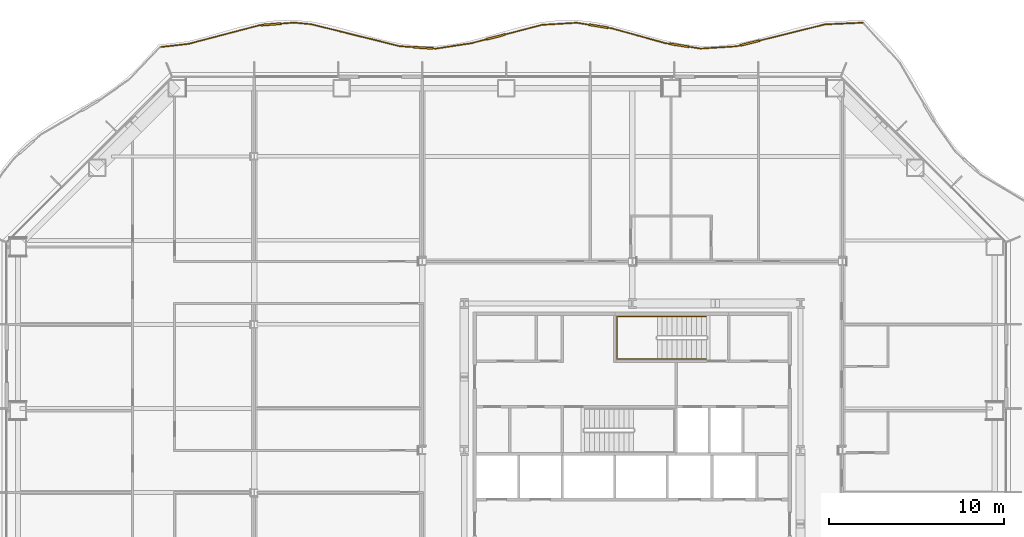
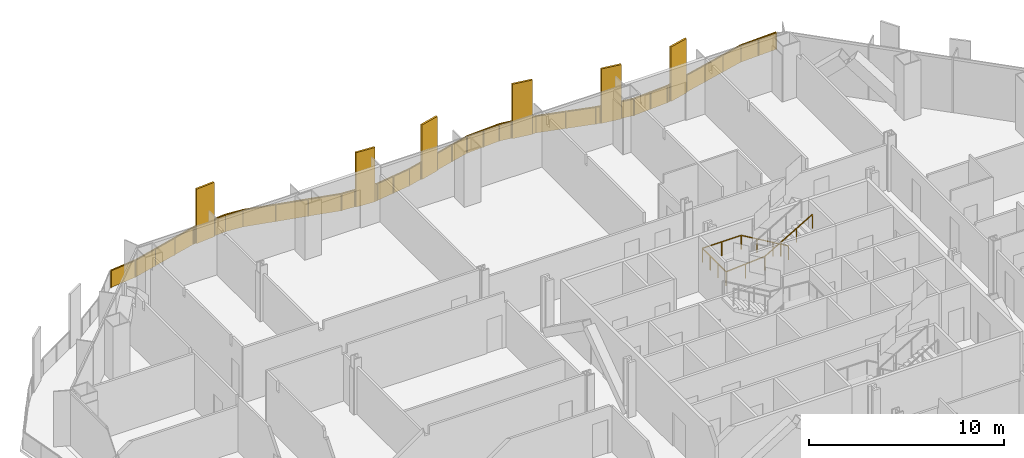
# One storey, part 20 of 21: 2 railings.
"""IFC4 building model written with IfcOpenShell, lengths in metres."""

from ifc_helpers import new_model, si_unit, direction, frame, origin, origin_2d, place, context, subcontext, project, spatial, polyline, rectangle, outline, extrude, material, type_object, element, save


model = new_model("IFC4")

# Units and contexts
model_context = context("Model", 3, precision=1e-05, world=origin(), true_north=direction((0.0, 1.0)))
body_context = subcontext(model_context, "Body", "Model", "MODEL_VIEW")
ifc_project = project(units=[si_unit("LENGTHUNIT", "METRE"), si_unit("AREAUNIT", "SQUARE_METRE"), si_unit("VOLUMEUNIT", "CUBIC_METRE"), si_unit("PLANEANGLEUNIT", "RADIAN"), si_unit("MASSUNIT", "GRAM", prefix="KILO")], contexts=[model_context])

# Site, building, storey
site_placement = place(None, origin())
site = spatial("IfcSite", under=ifc_project, at=site_placement, CompositionType="ELEMENT")
building_placement = place(site_placement, origin())
building = spatial("IfcBuilding", under=site, at=building_placement, Name="Cairn Pilgrim Tower", CompositionType="ELEMENT")
storey_placement = place(building_placement, frame((0.0, 0.0, 54.60009765625)))
storey = spatial("IfcBuildingStorey", under=building, at=storey_placement, Name="L11", CompositionType="ELEMENT", Elevation=54.60009765625)

# Railings
ifc_material_1 = material(Name="Bronze anodised aluminium rail, posts and fin screens with laminated glass infill", Category="aluminium")
railing_type_1 = type_object("IfcRailingType", Name="BALCONY GUARD WITH FIN SCREENS", PredefinedType="GUARDRAIL", material=ifc_material_1)
railing_1_placement = place(storey_placement, frame((20.37646484375, 26.83984375, 0.0)))
element("IfcRailing", 1, at=railing_1_placement, inside=storey, type_object=railing_type_1, Name="Balcony guard BGF-5 with fin screens", PredefinedType="GUARDRAIL", context=body_context, shape_type="SweptSolid", body=[
    extrude(rectangle(XDim=0.050048828125, YDim=0.050048828125, at=origin_2d()), frame((0.0, 0.0, 1.0751953125), z_axis=(-0.999059343406, -0.043363906112, 0.0), x_axis=(0.043363906112, -0.999059343406, 0.0)), (0.0, 0.0, 1.0), 2.16748046875),
    extrude(rectangle(XDim=1.10009765625, YDim=0.110107421875, at=origin_2d()), frame((-6.455810546875, -1.1591796875, 0.0), z_axis=(0.0, 0.0, 1.0), x_axis=(-0.970530332605, -0.240978989733, 0.0)), (0.0, 0.0, 1.0), 3.39990234375),
    extrude(rectangle(XDim=0.050048828125, YDim=0.050048828125, at=origin_2d()), frame((-2.16552734375, -0.093994140625, 1.0751953125), z_axis=(-0.970530332605, -0.240978989733, 0.0), x_axis=(0.240978989733, -0.970530332605, 0.0)), (0.0, 0.0, 1.0), 3.87060546875),
    extrude(rectangle(XDim=0.050048828125, YDim=0.050048828125, at=origin_2d()), frame((-6.989501953125, -1.291748046875, 1.0751953125), z_axis=(-0.970530332605, -0.240978989733, 0.0), x_axis=(0.240978989733, -0.970530332605, 0.0)), (0.0, 0.0, 1.0), 0.23388671875),
    extrude(rectangle(XDim=0.050048828125, YDim=0.050048828125, at=origin_2d()), frame((-7.216552734375, -1.34814453125, 1.0751953125), z_axis=(-0.997955239955, -0.063916657035, 0.0), x_axis=(0.063916657035, -0.997955239955, 0.0)), (0.0, 0.0, 1.0), 2.054931640625),
    extrude(rectangle(XDim=1.10009765625, YDim=0.110107421875, at=origin_2d()), frame((-10.498291015625, -1.289306640625, 0.0), z_axis=(0.0, 0.0, 1.0), x_axis=(-0.988287014191, 0.152606610544, 0.0)), (0.0, 0.0, 1.0), 3.39990234375),
    extrude(rectangle(XDim=0.050048828125, YDim=0.050048828125, at=origin_2d()), frame((-9.267333984375, -1.4794921875, 1.0751953125), z_axis=(-0.988287014191, 0.152606610544, 0.0), x_axis=(-0.152606610544, -0.988287014191, 0.0)), (0.0, 0.0, 1.0), 0.695556640625),
    extrude(rectangle(XDim=0.050048828125, YDim=0.050048828125, at=origin_2d()), frame((-11.0419921875, -1.20556640625, 1.0751953125), z_axis=(-0.988287014191, 0.152606610544, 0.0), x_axis=(-0.152606610544, -0.988287014191, 0.0)), (0.0, 0.0, 1.0), 0.2744140625),
    extrude(rectangle(XDim=0.050048828125, YDim=0.050048828125, at=origin_2d()), frame((-11.313232421875, -1.16357421875, 1.0751953125), z_axis=(-0.963612338145, 0.267303688293, 0.0), x_axis=(-0.267303688293, -0.963612338145, 0.0)), (0.0, 0.0, 1.0), 3.146484375),
    extrude(rectangle(XDim=1.10009765625, YDim=0.110107421875, at=origin_2d()), frame((-15.115966796875, -0.19970703125, 0.0), z_axis=(0.0, 0.0, 1.0), x_axis=(-0.987543657243, 0.157345241549, 0.0)), (0.0, 0.0, 1.0), 3.39990234375),
    extrude(rectangle(XDim=0.050048828125, YDim=0.050048828125, at=origin_2d()), frame((-14.34521484375, -0.322509765625, 1.0751953125), z_axis=(-0.987543657243, 0.157345241549, 0.0), x_axis=(-0.157345241549, -0.987543657243, 0.0)), (0.0, 0.0, 1.0), 0.23046875),
    extrude(rectangle(XDim=0.050048828125, YDim=0.050048828125, at=origin_2d()), frame((-15.6591796875, -0.11328125, 1.0751953125), z_axis=(-0.987543657243, 0.157345241549, 0.0), x_axis=(-0.157345241549, -0.987543657243, 0.0)), (0.0, 0.0, 1.0), 0.69140625),
    extrude(rectangle(XDim=0.050048828125, YDim=0.050048828125, at=origin_2d()), frame((-16.341796875, -0.00439453125, 1.0751953125), z_axis=(-0.998306735794, -0.05816924675, 0.0), x_axis=(0.05816924675, -0.998306735794, 0.0)), (0.0, 0.0, 1.0), 1.99365234375),
    extrude(rectangle(XDim=1.10009765625, YDim=0.110107421875, at=origin_2d()), frame((-20.970947265625, -0.807861328125, 0.0), z_axis=(0.0, 0.0, 1.0), x_axis=(-0.967698051512, -0.252112040768, 0.0)), (0.0, 0.0, 1.0), 3.39990234375),
    extrude(rectangle(XDim=0.050048828125, YDim=0.050048828125, at=origin_2d()), frame((-18.33203125, -0.120361328125, 1.0751953125), z_axis=(-0.967698051512, -0.252112040768, 0.0), x_axis=(0.252112040768, -0.967698051512, 0.0)), (0.0, 0.0, 1.0), 2.177001953125),
    extrude(rectangle(XDim=0.050048828125, YDim=0.050048828125, at=origin_2d()), frame((-21.503173828125, -0.946533203125, 1.0751953125), z_axis=(-0.967698051512, -0.252112040768, 0.0), x_axis=(0.252112040768, -0.967698051512, 0.0)), (0.0, 0.0, 1.0), 0.892822265625),
    extrude(rectangle(XDim=0.050048828125, YDim=0.050048828125, at=origin_2d()), frame((-22.3671875, -1.171630859375, 1.0751953125), z_axis=(-0.988737213893, -0.149662025453, 0.0), x_axis=(0.149662025453, -0.988737213893, 0.0)), (0.0, 0.0, 1.0), 2.068359375),
    extrude(rectangle(XDim=1.10009765625, YDim=0.110107421875, at=origin_2d()), frame((-25.110595703125, -1.43408203125, 0.0), z_axis=(0.0, 0.0, 1.0), x_axis=(-0.997721101582, 0.067472983176, 0.0)), (0.0, 0.0, 1.0), 3.39990234375),
    extrude(rectangle(XDim=0.050048828125, YDim=0.050048828125, at=origin_2d()), frame((-24.412353515625, -1.481201171875, 1.0751953125), z_axis=(-0.997721101582, 0.067472983176, 0.0), x_axis=(-0.067472983176, -0.997721101582, 0.0)), (0.0, 0.0, 1.0), 0.14990234375),
    extrude(rectangle(XDim=0.050048828125, YDim=0.050048828125, at=origin_2d()), frame((-25.659423828125, -1.39697265625, 1.0751953125), z_axis=(-0.997721101582, 0.067472983176, 0.0), x_axis=(-0.067472983176, -0.997721101582, 0.0)), (0.0, 0.0, 1.0), 0.80517578125),
    extrude(rectangle(XDim=0.050048828125, YDim=0.050048828125, at=origin_2d()), frame((-26.462890625, -1.342529296875, 1.0751953125), z_axis=(-0.970568434005, 0.240825486426, 0.0), x_axis=(-0.240825486426, -0.970568434005, 0.0)), (0.0, 0.0, 1.0), 5.207763671875),
    extrude(rectangle(XDim=0.050048828125, YDim=0.050048828125, at=origin_2d()), frame((-31.517333984375, -0.08837890625, 1.0751953125), z_axis=(-0.995676342666, 0.092890369014, 0.0), x_axis=(-0.092890369014, -0.995676342666, 0.0)), (0.0, 0.0, 1.0), 0.990966796875),
    extrude(rectangle(XDim=1.10009765625, YDim=0.110107421875, at=origin_2d()), frame((-33.801025390625, -0.095947265625, 0.0), z_axis=(0.0, 0.0, 1.0), x_axis=(-0.997068823954, -0.076509870593, 0.0)), (0.0, 0.0, 1.0), 3.39990234375),
    extrude(rectangle(XDim=0.050048828125, YDim=0.050048828125, at=origin_2d()), frame((-32.50390625, 0.003662109375, 1.0751953125), z_axis=(-0.997068823954, -0.076509870593, 0.0), x_axis=(0.076509870593, -0.997068823954, 0.0)), (0.0, 0.0, 1.0), 0.750732421875),
    extrude(rectangle(XDim=0.050048828125, YDim=0.050048828125, at=origin_2d()), frame((-34.349365234375, -0.137939453125, 1.0751953125), z_axis=(-0.997068823954, -0.076509870593, 0.0), x_axis=(0.076509870593, -0.997068823954, 0.0)), (0.0, 0.0, 1.0), 0.14990234375),
    extrude(rectangle(XDim=0.050048828125, YDim=0.050048828125, at=origin_2d()), frame((-34.498779296875, -0.1494140625, 1.0751953125), z_axis=(-0.967120706258, -0.254317792393, 0.0), x_axis=(0.254317792393, -0.967120706258, 0.0)), (0.0, 0.0, 1.0), 4.177001953125),
    extrude(rectangle(XDim=0.050048828125, YDim=0.050048828125, at=origin_2d()), frame((-38.538330078125, -1.211669921875, 1.0751953125), z_axis=(-0.993720120038, -0.111894249324, 0.0), x_axis=(0.111894249324, -0.993720120038, 0.0)), (0.0, 0.0, 1.0), 1.575439453125),
    extrude(rectangle(XDim=0.050048828125, YDim=0.050048828125, at=origin_2d()), origin(), (0.0, 0.0, 1.0), 1.050048828125),
    extrude(rectangle(XDim=0.050048828125, YDim=0.050048828125, at=origin_2d()), frame((-1.082763671875, -0.046875, 0.0)), (0.0, 0.0, 1.0), 1.050048828125),
    extrude(rectangle(XDim=0.050048828125, YDim=0.050048828125, at=origin_2d()), frame((-2.16552734375, -0.093994140625, 0.0)), (0.0, 0.0, 1.0), 1.050048828125),
    extrude(rectangle(XDim=0.050048828125, YDim=0.050048828125, at=origin_2d()), frame((-3.40966796875, -0.40283203125, 0.0)), (0.0, 0.0, 1.0), 1.050048828125),
    extrude(rectangle(XDim=0.050048828125, YDim=0.050048828125, at=origin_2d()), frame((-4.653564453125, -0.711669921875, 0.0)), (0.0, 0.0, 1.0), 1.050048828125),
    extrude(rectangle(XDim=0.050048828125, YDim=0.050048828125, at=origin_2d()), frame((-5.897705078125, -1.020751953125, 0.0)), (0.0, 0.0, 1.0), 1.050048828125),
    extrude(rectangle(XDim=0.050048828125, YDim=0.050048828125, at=origin_2d()), frame((-7.013916015625, -1.2978515625, 0.0)), (0.0, 0.0, 1.0), 1.050048828125),
    extrude(rectangle(XDim=0.050048828125, YDim=0.050048828125, at=origin_2d()), frame((-7.216552734375, -1.34814453125, 0.0)), (0.0, 0.0, 1.0), 1.050048828125),
    extrude(rectangle(XDim=0.050048828125, YDim=0.050048828125, at=origin_2d()), frame((-8.241943359375, -1.413818359375, 0.0)), (0.0, 0.0, 1.0), 1.050048828125),
    extrude(rectangle(XDim=0.050048828125, YDim=0.050048828125, at=origin_2d()), frame((-9.267333984375, -1.4794921875, 0.0)), (0.0, 0.0, 1.0), 1.050048828125),
    extrude(rectangle(XDim=0.050048828125, YDim=0.050048828125, at=origin_2d()), frame((-9.93017578125, -1.377197265625, 0.0)), (0.0, 0.0, 1.0), 1.050048828125),
    extrude(rectangle(XDim=0.050048828125, YDim=0.050048828125, at=origin_2d()), frame((-11.066650390625, -1.20166015625, 0.0)), (0.0, 0.0, 1.0), 1.050048828125),
    extrude(rectangle(XDim=0.050048828125, YDim=0.050048828125, at=origin_2d()), frame((-11.313232421875, -1.16357421875, 0.0)), (0.0, 0.0, 1.0), 1.050048828125),
    extrude(rectangle(XDim=0.050048828125, YDim=0.050048828125, at=origin_2d()), frame((-12.8291015625, -0.7431640625, 0.0)), (0.0, 0.0, 1.0), 1.050048828125),
    extrude(rectangle(XDim=0.050048828125, YDim=0.050048828125, at=origin_2d()), frame((-14.34521484375, -0.322509765625, 0.0)), (0.0, 0.0, 1.0), 1.050048828125),
    extrude(rectangle(XDim=0.050048828125, YDim=0.050048828125, at=origin_2d()), frame((-14.548095703125, -0.290283203125, 0.0)), (0.0, 0.0, 1.0), 1.050048828125),
    extrude(rectangle(XDim=0.050048828125, YDim=0.050048828125, at=origin_2d()), frame((-15.683837890625, -0.109130859375, 0.0)), (0.0, 0.0, 1.0), 1.050048828125),
    extrude(rectangle(XDim=0.050048828125, YDim=0.050048828125, at=origin_2d()), frame((-16.341796875, -0.00439453125, 0.0)), (0.0, 0.0, 1.0), 1.050048828125),
    extrude(rectangle(XDim=0.050048828125, YDim=0.050048828125, at=origin_2d()), frame((-17.3369140625, -0.0625, 0.0)), (0.0, 0.0, 1.0), 1.050048828125),
    extrude(rectangle(XDim=0.050048828125, YDim=0.050048828125, at=origin_2d()), frame((-18.33203125, -0.120361328125, 0.0)), (0.0, 0.0, 1.0), 1.050048828125),
    extrude(rectangle(XDim=0.050048828125, YDim=0.050048828125, at=origin_2d()), frame((-19.373291015625, -0.3916015625, 0.0)), (0.0, 0.0, 1.0), 1.050048828125),
    extrude(rectangle(XDim=0.050048828125, YDim=0.050048828125, at=origin_2d()), frame((-20.41455078125, -0.662841796875, 0.0)), (0.0, 0.0, 1.0), 1.050048828125),
    extrude(rectangle(XDim=0.050048828125, YDim=0.050048828125, at=origin_2d()), frame((-21.52734375, -0.952880859375, 0.0)), (0.0, 0.0, 1.0), 1.050048828125),
    extrude(rectangle(XDim=0.050048828125, YDim=0.050048828125, at=origin_2d()), frame((-22.3671875, -1.171630859375, 0.0)), (0.0, 0.0, 1.0), 1.050048828125),
    extrude(rectangle(XDim=0.050048828125, YDim=0.050048828125, at=origin_2d()), frame((-23.3896484375, -1.326416015625, 0.0)), (0.0, 0.0, 1.0), 1.050048828125),
    extrude(rectangle(XDim=0.050048828125, YDim=0.050048828125, at=origin_2d()), frame((-24.412353515625, -1.481201171875, 0.0)), (0.0, 0.0, 1.0), 1.050048828125),
    extrude(rectangle(XDim=0.050048828125, YDim=0.050048828125, at=origin_2d()), frame((-24.536865234375, -1.47265625, 0.0)), (0.0, 0.0, 1.0), 1.050048828125),
    extrude(rectangle(XDim=0.050048828125, YDim=0.050048828125, at=origin_2d()), frame((-25.684326171875, -1.395263671875, 0.0)), (0.0, 0.0, 1.0), 1.050048828125),
    extrude(rectangle(XDim=0.050048828125, YDim=0.050048828125, at=origin_2d()), frame((-26.462890625, -1.342529296875, 0.0)), (0.0, 0.0, 1.0), 1.050048828125),
    extrude(rectangle(XDim=0.050048828125, YDim=0.050048828125, at=origin_2d()), frame((-28.147705078125, -0.924560546875, 0.0)), (0.0, 0.0, 1.0), 1.050048828125),
    extrude(rectangle(XDim=0.050048828125, YDim=0.050048828125, at=origin_2d()), frame((-29.83251953125, -0.50634765625, 0.0)), (0.0, 0.0, 1.0), 1.050048828125),
    extrude(rectangle(XDim=0.050048828125, YDim=0.050048828125, at=origin_2d()), frame((-31.517333984375, -0.08837890625, 0.0)), (0.0, 0.0, 1.0), 1.050048828125),
    extrude(rectangle(XDim=0.050048828125, YDim=0.050048828125, at=origin_2d()), frame((-32.50390625, 0.003662109375, 0.0)), (0.0, 0.0, 1.0), 1.050048828125),
    extrude(rectangle(XDim=0.050048828125, YDim=0.050048828125, at=origin_2d()), frame((-33.2275390625, -0.0517578125, 0.0)), (0.0, 0.0, 1.0), 1.050048828125),
    extrude(rectangle(XDim=0.050048828125, YDim=0.050048828125, at=origin_2d()), frame((-34.374267578125, -0.139892578125, 0.0)), (0.0, 0.0, 1.0), 1.050048828125),
    extrude(rectangle(XDim=0.050048828125, YDim=0.050048828125, at=origin_2d()), frame((-34.498779296875, -0.1494140625, 0.0)), (0.0, 0.0, 1.0), 1.050048828125),
    extrude(rectangle(XDim=0.050048828125, YDim=0.050048828125, at=origin_2d()), frame((-35.84521484375, -0.50341796875, 0.0)), (0.0, 0.0, 1.0), 1.050048828125),
    extrude(rectangle(XDim=0.050048828125, YDim=0.050048828125, at=origin_2d()), frame((-37.19189453125, -0.857666015625, 0.0)), (0.0, 0.0, 1.0), 1.050048828125),
    extrude(rectangle(XDim=0.050048828125, YDim=0.050048828125, at=origin_2d()), frame((-38.538330078125, -1.211669921875, 0.0)), (0.0, 0.0, 1.0), 1.050048828125),
    extrude(rectangle(XDim=0.050048828125, YDim=0.050048828125, at=origin_2d()), frame((-40.103759765625, -1.387939453125, 0.0)), (0.0, 0.0, 1.0), 1.050048828125),
    extrude(outline(polyline([(0.02490234375, 0.0), (1.058837890625, 0.0), (1.058837890625, 1.050048828125), (0.02490234375, 1.050048828125), (0.02490234375, 0.0)])), frame((0.000244140625, -0.005859375, 0.0), z_axis=(-0.043363906112, 0.999059343406, 0.0), x_axis=(-0.999059343406, -0.043363906112, 0.0)), (0.0, 0.0, 1.0), 0.011962890625),
    extrude(outline(polyline([(0.02490234375, 0.0), (1.058837890625, 0.0), (1.058837890625, 1.050048828125), (0.02490234375, 1.050048828125), (0.02490234375, 0.0)])), frame((-1.08251953125, -0.052978515625, 0.0), z_axis=(-0.043363906112, 0.999059343406, 0.0), x_axis=(-0.999059343406, -0.043363906112, 0.0)), (0.0, 0.0, 1.0), 0.011962890625),
    extrude(outline(polyline([(0.02490234375, 0.0), (1.2568359375, 0.0), (1.2568359375, 1.050048828125), (0.02490234375, 1.050048828125), (0.02490234375, 0.0)])), frame((-2.1640625, -0.099853515625, 0.0), z_axis=(-0.240978989733, 0.970530332605, 0.0), x_axis=(-0.970530332605, -0.240978989733, 0.0)), (0.0, 0.0, 1.0), 0.011962890625),
    extrude(outline(polyline([(0.02490234375, 0.0), (1.2568359375, 0.0), (1.2568359375, 1.050048828125), (0.02490234375, 1.050048828125), (0.02490234375, 0.0)])), frame((-3.408203125, -0.40869140625, 0.0), z_axis=(-0.240978989733, 0.970530332605, 0.0), x_axis=(-0.970530332605, -0.240978989733, 0.0)), (0.0, 0.0, 1.0), 0.011962890625),
    extrude(outline(polyline([(0.02490234375, 0.0), (1.2568359375, 0.0), (1.2568359375, 1.050048828125), (0.02490234375, 1.050048828125), (0.02490234375, 0.0)])), frame((-4.652099609375, -0.717529296875, 0.0), z_axis=(-0.240978989733, 0.970530332605, 0.0), x_axis=(-0.970530332605, -0.240978989733, 0.0)), (0.0, 0.0, 1.0), 0.011962890625),
    extrude(outline(polyline([(0.02490234375, 0.0), (0.183837890625, 0.0), (0.183837890625, 1.050048828125), (0.02490234375, 1.050048828125), (0.02490234375, 0.0)])), frame((-7.012451171875, -1.3037109375, 0.0), z_axis=(-0.240978989733, 0.970530332605, 0.0), x_axis=(-0.970530332605, -0.240978989733, 0.0)), (0.0, 0.0, 1.0), 0.011962890625),
    extrude(outline(polyline([(0.02490234375, 0.0), (1.00244140625, 0.0), (1.00244140625, 1.050048828125), (0.02490234375, 1.050048828125), (0.02490234375, 0.0)])), frame((-7.216064453125, -1.35400390625, 0.0), z_axis=(-0.063916657035, 0.997955239955, 0.0), x_axis=(-0.997955239955, -0.063916657035, 0.0)), (0.0, 0.0, 1.0), 0.011962890625),
    extrude(outline(polyline([(0.02490234375, 0.0), (1.00244140625, 0.0), (1.00244140625, 1.050048828125), (0.02490234375, 1.050048828125), (0.02490234375, 0.0)])), frame((-8.241455078125, -1.419677734375, 0.0), z_axis=(-0.063916657035, 0.997955239955, 0.0), x_axis=(-0.997955239955, -0.063916657035, 0.0)), (0.0, 0.0, 1.0), 0.011962890625),
    extrude(outline(polyline([(0.02490234375, 0.0), (0.6455078125, 0.0), (0.6455078125, 1.050048828125), (0.02490234375, 1.050048828125), (0.02490234375, 0.0)])), frame((-9.268310546875, -1.4853515625, 0.0), z_axis=(0.152606610544, 0.988287014191, 0.0), x_axis=(-0.988287014191, 0.152606610544, 0.0)), (0.0, 0.0, 1.0), 0.011962890625),
    extrude(outline(polyline([(0.02490234375, 0.0), (0.224365234375, 0.0), (0.224365234375, 1.050048828125), (0.02490234375, 1.050048828125), (0.02490234375, 0.0)])), frame((-11.067626953125, -1.20751953125, 0.0), z_axis=(0.152606610544, 0.988287014191, 0.0), x_axis=(-0.988287014191, 0.152606610544, 0.0)), (0.0, 0.0, 1.0), 0.011962890625),
    extrude(outline(polyline([(0.02490234375, 0.0), (1.548095703125, 0.0), (1.548095703125, 1.050048828125), (0.02490234375, 1.050048828125), (0.02490234375, 0.0)])), frame((-11.31494140625, -1.16943359375, 0.0), z_axis=(0.267303688293, 0.963612338145, 0.0), x_axis=(-0.963612338145, 0.267303688293, 0.0)), (0.0, 0.0, 1.0), 0.011962890625),
    extrude(outline(polyline([(0.02490234375, 0.0), (1.548095703125, 0.0), (1.548095703125, 1.050048828125), (0.02490234375, 1.050048828125), (0.02490234375, 0.0)])), frame((-12.830810546875, -0.748779296875, 0.0), z_axis=(0.267303688293, 0.963612338145, 0.0), x_axis=(-0.963612338145, 0.267303688293, 0.0)), (0.0, 0.0, 1.0), 0.011962890625),
    extrude(outline(polyline([(0.02490234375, 0.0), (0.180419921875, 0.0), (0.180419921875, 1.050048828125), (0.02490234375, 1.050048828125), (0.02490234375, 0.0)])), frame((-14.34619140625, -0.328369140625, 0.0), z_axis=(0.157345241549, 0.987543657243, 0.0), x_axis=(-0.987543657243, 0.157345241549, 0.0)), (0.0, 0.0, 1.0), 0.011962890625),
    extrude(outline(polyline([(0.02490234375, 0.0), (0.641357421875, 0.0), (0.641357421875, 1.050048828125), (0.02490234375, 1.050048828125), (0.02490234375, 0.0)])), frame((-15.684814453125, -0.115234375, 0.0), z_axis=(0.157345241549, 0.987543657243, 0.0), x_axis=(-0.987543657243, 0.157345241549, 0.0)), (0.0, 0.0, 1.0), 0.011962890625),
    extrude(outline(polyline([(0.02490234375, 0.0), (0.9716796875, 0.0), (0.9716796875, 1.050048828125), (0.02490234375, 1.050048828125), (0.02490234375, 0.0)])), frame((-16.341552734375, -0.01025390625, 0.0), z_axis=(-0.05816924675, 0.998306735794, 0.0), x_axis=(-0.998306735794, -0.05816924675, 0.0)), (0.0, 0.0, 1.0), 0.011962890625),
    extrude(outline(polyline([(0.02490234375, 0.0), (0.9716796875, 0.0), (0.9716796875, 1.050048828125), (0.02490234375, 1.050048828125), (0.02490234375, 0.0)])), frame((-17.336669921875, -0.068359375, 0.0), z_axis=(-0.05816924675, 0.998306735794, 0.0), x_axis=(-0.998306735794, -0.05816924675, 0.0)), (0.0, 0.0, 1.0), 0.011962890625),
    extrude(outline(polyline([(0.02490234375, 0.0), (1.051025390625, 0.0), (1.051025390625, 1.050048828125), (0.02490234375, 1.050048828125), (0.02490234375, 0.0)])), frame((-18.33056640625, -0.126220703125, 0.0), z_axis=(-0.252112040768, 0.967698051512, 0.0), x_axis=(-0.967698051512, -0.252112040768, 0.0)), (0.0, 0.0, 1.0), 0.011962890625),
    extrude(outline(polyline([(0.02490234375, 0.0), (1.051025390625, 0.0), (1.051025390625, 1.050048828125), (0.02490234375, 1.050048828125), (0.02490234375, 0.0)])), frame((-19.371826171875, -0.3974609375, 0.0), z_axis=(-0.252112040768, 0.967698051512, 0.0), x_axis=(-0.967698051512, -0.252112040768, 0.0)), (0.0, 0.0, 1.0), 0.011962890625),
    extrude(outline(polyline([(0.02490234375, 0.0), (0.8427734375, 0.0), (0.8427734375, 1.050048828125), (0.02490234375, 1.050048828125), (0.02490234375, 0.0)])), frame((-21.52587890625, -0.958740234375, 0.0), z_axis=(-0.252112040768, 0.967698051512, 0.0), x_axis=(-0.967698051512, -0.252112040768, 0.0)), (0.0, 0.0, 1.0), 0.011962890625),
    extrude(outline(polyline([(0.02490234375, 0.0), (1.00927734375, 0.0), (1.00927734375, 1.050048828125), (0.02490234375, 1.050048828125), (0.02490234375, 0.0)])), frame((-22.3662109375, -1.177490234375, 0.0), z_axis=(-0.149662025453, 0.988737213893, 0.0), x_axis=(-0.988737213893, -0.149662025453, 0.0)), (0.0, 0.0, 1.0), 0.011962890625),
    extrude(outline(polyline([(0.02490234375, 0.0), (1.00927734375, 0.0), (1.00927734375, 1.050048828125), (0.02490234375, 1.050048828125), (0.02490234375, 0.0)])), frame((-23.388916015625, -1.332275390625, 0.0), z_axis=(-0.149662025453, 0.988737213893, 0.0), x_axis=(-0.988737213893, -0.149662025453, 0.0)), (0.0, 0.0, 1.0), 0.011962890625),
    extrude(outline(polyline([(0.02490234375, 0.0), (0.099853515625, 0.0), (0.099853515625, 1.050048828125), (0.02490234375, 1.050048828125), (0.02490234375, 0.0)])), frame((-24.412841796875, -1.487060546875, 0.0), z_axis=(0.067472983176, 0.997721101582, 0.0), x_axis=(-0.997721101582, 0.067472983176, 0.0)), (0.0, 0.0, 1.0), 0.011962890625),
    extrude(outline(polyline([(0.02490234375, 0.0), (0.755126953125, 0.0), (0.755126953125, 1.050048828125), (0.02490234375, 1.050048828125), (0.02490234375, 0.0)])), frame((-25.684814453125, -1.401123046875, 0.0), z_axis=(0.067472983176, 0.997721101582, 0.0), x_axis=(-0.997721101582, 0.067472983176, 0.0)), (0.0, 0.0, 1.0), 0.011962890625),
    extrude(outline(polyline([(0.02490234375, 0.0), (1.7109375, 0.0), (1.7109375, 1.050048828125), (0.02490234375, 1.050048828125), (0.02490234375, 0.0)])), frame((-26.46435546875, -1.348388671875, 0.0), z_axis=(0.240825486426, 0.970568434005, 0.0), x_axis=(-0.970568434005, 0.240825486426, 0.0)), (0.0, 0.0, 1.0), 0.011962890625),
    extrude(outline(polyline([(0.02490234375, 0.0), (1.7109375, 0.0), (1.7109375, 1.050048828125), (0.02490234375, 1.050048828125), (0.02490234375, 0.0)])), frame((-28.149169921875, -0.93017578125, 0.0), z_axis=(0.240825486426, 0.970568434005, 0.0), x_axis=(-0.970568434005, 0.240825486426, 0.0)), (0.0, 0.0, 1.0), 0.011962890625),
    extrude(outline(polyline([(0.02490234375, 0.0), (1.7109375, 0.0), (1.7109375, 1.050048828125), (0.02490234375, 1.050048828125), (0.02490234375, 0.0)])), frame((-29.833984375, -0.51220703125, 0.0), z_axis=(0.240825486426, 0.970568434005, 0.0), x_axis=(-0.970568434005, 0.240825486426, 0.0)), (0.0, 0.0, 1.0), 0.011962890625),
    extrude(outline(polyline([(0.02490234375, 0.0), (0.9658203125, 0.0), (0.9658203125, 1.050048828125), (0.02490234375, 1.050048828125), (0.02490234375, 0.0)])), frame((-31.517822265625, -0.09423828125, 0.0), z_axis=(0.092890369014, 0.995676342666, 0.0), x_axis=(-0.995676342666, 0.092890369014, 0.0)), (0.0, 0.0, 1.0), 0.011962890625),
    extrude(outline(polyline([(0.02490234375, 0.0), (0.70068359375, 0.0), (0.70068359375, 1.050048828125), (0.02490234375, 1.050048828125), (0.02490234375, 0.0)])), frame((-32.50341796875, -0.002197265625, 0.0), z_axis=(-0.076509870593, 0.997068823954, 0.0), x_axis=(-0.997068823954, -0.076509870593, 0.0)), (0.0, 0.0, 1.0), 0.011962890625),
    extrude(outline(polyline([(0.02490234375, 0.0), (0.099853515625, 0.0), (0.099853515625, 1.050048828125), (0.02490234375, 1.050048828125), (0.02490234375, 0.0)])), frame((-34.373779296875, -0.145751953125, 0.0), z_axis=(-0.076509870593, 0.997068823954, 0.0), x_axis=(-0.997068823954, -0.076509870593, 0.0)), (0.0, 0.0, 1.0), 0.011962890625),
    extrude(outline(polyline([(0.02490234375, 0.0), (1.3671875, 0.0), (1.3671875, 1.050048828125), (0.02490234375, 1.050048828125), (0.02490234375, 0.0)])), frame((-34.497314453125, -0.1552734375, 0.0), z_axis=(-0.254317792393, 0.967120706258, 0.0), x_axis=(-0.967120706258, -0.254317792393, 0.0)), (0.0, 0.0, 1.0), 0.011962890625),
    extrude(outline(polyline([(0.02490234375, 0.0), (1.3671875, 0.0), (1.3671875, 1.050048828125), (0.02490234375, 1.050048828125), (0.02490234375, 0.0)])), frame((-35.84375, -0.50927734375, 0.0), z_axis=(-0.254317792393, 0.967120706258, 0.0), x_axis=(-0.967120706258, -0.254317792393, 0.0)), (0.0, 0.0, 1.0), 0.011962890625),
    extrude(outline(polyline([(0.02490234375, 0.0), (1.3671875, 0.0), (1.3671875, 1.050048828125), (0.02490234375, 1.050048828125), (0.02490234375, 0.0)])), frame((-37.190185546875, -0.86328125, 0.0), z_axis=(-0.254317792393, 0.967120706258, 0.0), x_axis=(-0.967120706258, -0.254317792393, 0.0)), (0.0, 0.0, 1.0), 0.011962890625),
    extrude(outline(polyline([(0.02490234375, 0.0), (1.55029296875, 0.0), (1.55029296875, 1.050048828125), (0.02490234375, 1.050048828125), (0.02490234375, 0.0)])), frame((-38.53759765625, -1.217529296875, 0.0), z_axis=(-0.111894249324, 0.993720120038, 0.0), x_axis=(-0.993720120038, -0.111894249324, 0.0)), (0.0, 0.0, 1.0), 0.011962890625),
])
ifc_material_2 = material(Name="Painted steel", Category="steel")
railing_type_2 = type_object("IfcRailingType", Name="STAIR HANDRAIL 900", PredefinedType="HANDRAIL", material=ifc_material_2)
railing_2_placement = place(storey_placement, frame((11.425048828125, 10.050048828125, 0.16357421875)))
element("IfcRailing", 2, at=railing_2_placement, inside=storey, type_object=railing_type_2, Name="L11 ST-C stair handrail 1", PredefinedType="HANDRAIL", context=body_context, shape_type="SweptSolid", body=[
    extrude(rectangle(XDim=0.048095703125, YDim=0.048095703125, at=origin_2d()), frame((0.0, 0.0, 0.8759765625), z_axis=(-0.863393664356, 0.0, 0.504530851732), x_axis=(0.0, -1.0, 0.0)), (0.0, 0.0, 1.0), 3.2431640625),
    extrude(rectangle(XDim=0.048095703125, YDim=0.048095703125, at=origin_2d()), frame((-2.800048828125, 0.0, 2.51220703125), z_axis=(-1.0, 0.0, 0.0), x_axis=(0.0, -1.0, 0.0)), (0.0, 0.0, 1.0), 2.300048828125),
    extrude(rectangle(XDim=0.048095703125, YDim=0.048095703125, at=origin_2d()), frame((-5.10009765625, 0.0, 2.51220703125), z_axis=(0.0, -1.0, 0.0), x_axis=(1.0, 0.0, 0.0)), (0.0, 0.0, 1.0), 2.425048828125),
    extrude(rectangle(XDim=0.048095703125, YDim=0.048095703125, at=origin_2d()), frame((-5.10009765625, -2.425048828125, 2.51220703125), z_axis=(0.99747319029, 0.0, 0.071043892441), x_axis=(0.0, 1.0, 0.0)), (0.0, 0.0, 1.0), 2.305908203125),
    extrude(rectangle(XDim=0.048095703125, YDim=0.048095703125, at=origin_2d()), frame((-2.800048828125, -2.425048828125, 2.67578125), z_axis=(0.863393664356, 0.0, 0.504530851732), x_axis=(0.0, 1.0, 0.0)), (0.0, 0.0, 1.0), 3.2431640625),
    extrude(rectangle(XDim=0.0419921875, YDim=0.0419921875, at=origin_2d()), origin(), (0.0, 0.0, 1.0), 0.851806640625),
    extrude(rectangle(XDim=0.0419921875, YDim=0.0419921875, at=origin_2d()), frame((-0.933349609375, 0.0, 0.54541015625)), (0.0, 0.0, 1.0), 0.851806640625),
    extrude(rectangle(XDim=0.0419921875, YDim=0.0419921875, at=origin_2d()), frame((-1.86669921875, 0.0, 1.0908203125)), (0.0, 0.0, 1.0), 0.851806640625),
    extrude(rectangle(XDim=0.0419921875, YDim=0.0419921875, at=origin_2d()), frame((-2.800048828125, 0.0, 1.63623046875)), (0.0, 0.0, 1.0), 0.851806640625),
    extrude(rectangle(XDim=0.0419921875, YDim=0.0419921875, at=origin_2d()), frame((-3.9501953125, 0.0, 1.63623046875)), (0.0, 0.0, 1.0), 0.851806640625),
    extrude(rectangle(XDim=0.0419921875, YDim=0.0419921875, at=origin_2d()), frame((-5.10009765625, 0.0, 1.63623046875)), (0.0, 0.0, 1.0), 0.851806640625),
    extrude(rectangle(XDim=0.0419921875, YDim=0.0419921875, at=origin_2d()), frame((-5.10009765625, -0.808349609375, 1.63623046875)), (0.0, 0.0, 1.0), 0.851806640625),
    extrude(rectangle(XDim=0.0419921875, YDim=0.0419921875, at=origin_2d()), frame((-5.10009765625, -1.61669921875, 1.63623046875)), (0.0, 0.0, 1.0), 0.851806640625),
    extrude(rectangle(XDim=0.0419921875, YDim=0.0419921875, at=origin_2d()), frame((-5.10009765625, -2.425048828125, 1.63623046875)), (0.0, 0.0, 1.0), 0.851806640625),
    extrude(rectangle(XDim=0.0419921875, YDim=0.0419921875, at=origin_2d()), frame((-3.9501953125, -2.425048828125, 1.71826171875)), (0.0, 0.0, 1.0), 0.851806640625),
    extrude(rectangle(XDim=0.0419921875, YDim=0.0419921875, at=origin_2d()), frame((-2.800048828125, -2.425048828125, 1.800048828125)), (0.0, 0.0, 1.0), 0.851806640625),
    extrude(rectangle(XDim=0.0419921875, YDim=0.0419921875, at=origin_2d()), frame((-1.86669921875, -2.425048828125, 2.345458984375)), (0.0, 0.0, 1.0), 0.851806640625),
    extrude(rectangle(XDim=0.0419921875, YDim=0.0419921875, at=origin_2d()), frame((-0.933349609375, -2.425048828125, 2.890869140625)), (0.0, 0.0, 1.0), 0.851806640625),
    extrude(rectangle(XDim=0.0419921875, YDim=0.0419921875, at=origin_2d()), frame((0.0, -2.425048828125, 3.436279296875)), (0.0, 0.0, 1.0), 0.851806640625),
])

save(model, "model.ifc")
